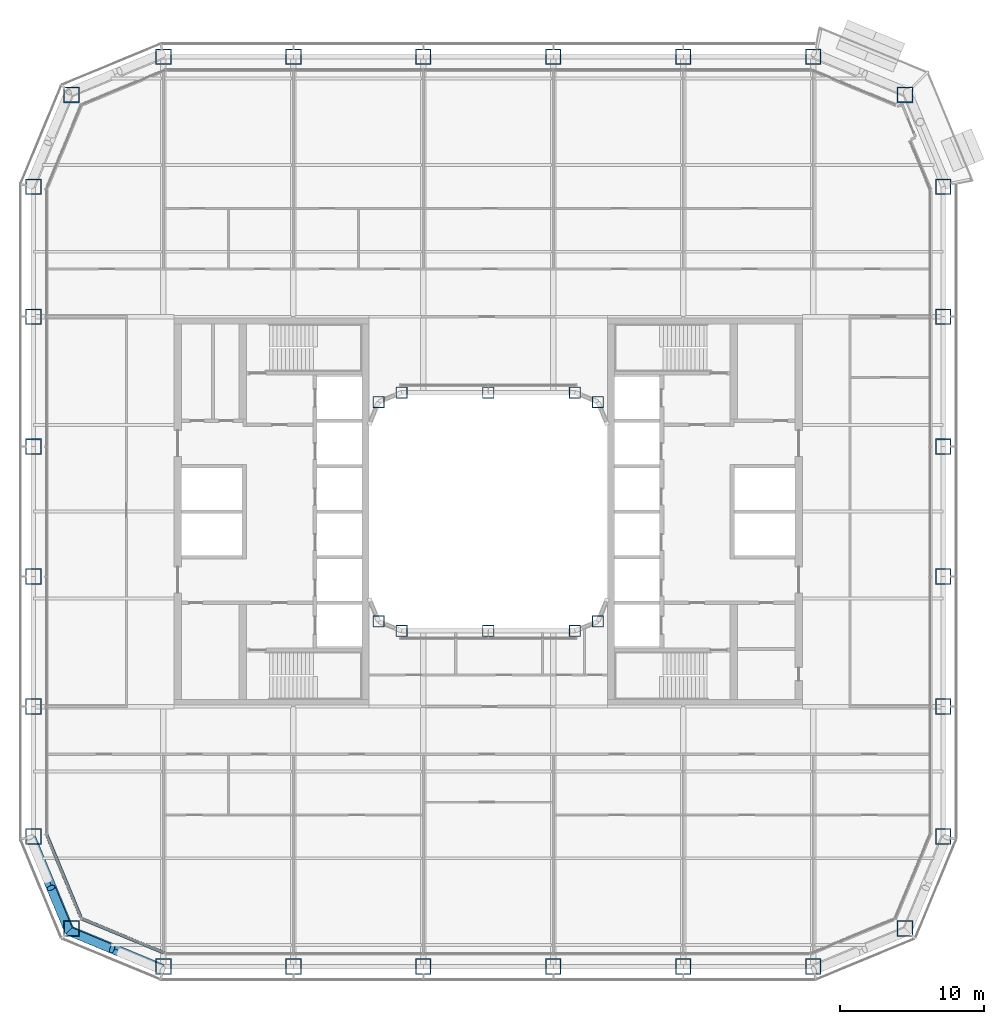
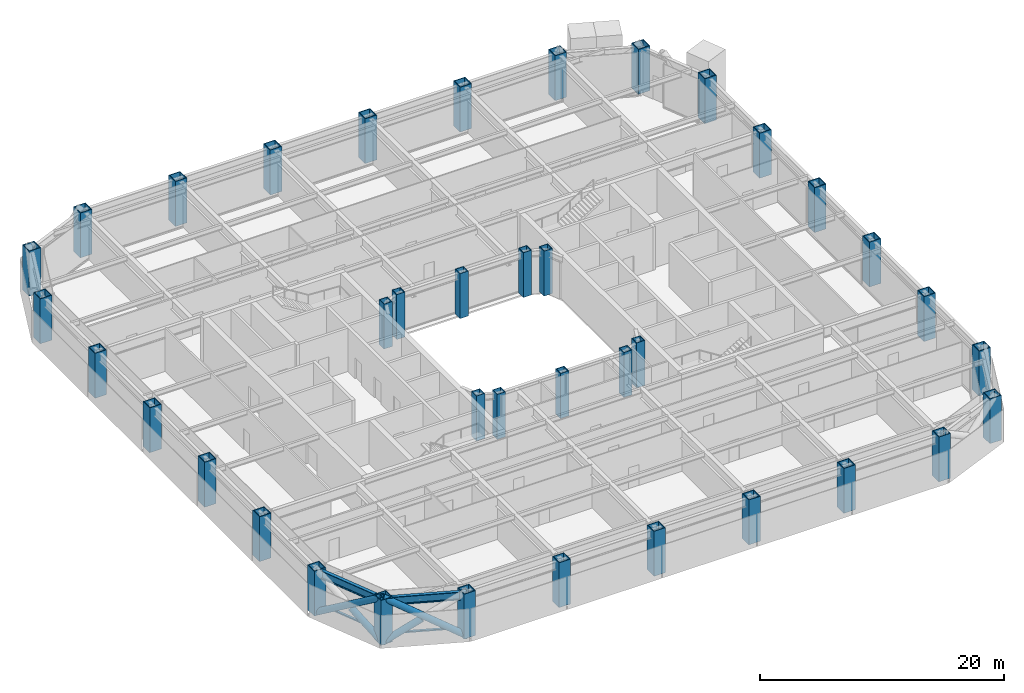
# One storey, part 1 of 30: 38 columns, 6 members, 2 beams, 2 elements without a shape of their own.
"""IFC4 building model written with IfcOpenShell, lengths in metres."""

import ifcopenshell
import ifcopenshell.guid

model = None  # the IFC model being written
_history = None  # IfcOwnerHistory: only IFC2X3 demands one
_inside = {}  # id of a spatial element -> (the spatial element, [elements in it])
_under = {}  # id of a project, library or spatial element -> (it, [spatial elements below it])
_declared = {}  # id of a project -> (the project, [libraries it declares])
_typed = {}  # id of a type object -> (the type object, [elements of that type])
_made_of = {}  # id of a material, layer set ... -> (it, [elements and type objects made of it])


def new_model(schema):
    """Start an empty IFC model of exactly this schema.

    Asked for "IFC4X3", IfcOpenShell would pick the latest addendum, in which some entities
    have other attributes; the version numbers below select the first issue.
    IFC2X3 requires an IfcOwnerHistory on every rooted entity: one is made here for all.
    """
    global model, _history
    if schema == "IFC4X3":
        model = ifcopenshell.file(schema_version=(4, 3, 0, 0))
    else:
        model = ifcopenshell.file(schema=schema)
    _inside.clear()
    _under.clear()
    _declared.clear()
    _typed.clear()
    _made_of.clear()
    _history = None
    if model.schema == "IFC2X3":
        org = make("IfcOrganization", Name="unknown")
        user = make(
            "IfcPersonAndOrganization",
            ThePerson=make("IfcPerson", FamilyName="unknown"),
            TheOrganization=org,
        )
        app = make(
            "IfcApplication",
            ApplicationDeveloper=org,
            Version="unknown",
            ApplicationFullName="unknown",
            ApplicationIdentifier="unknown",
        )
        _history = make(
            "IfcOwnerHistory",
            OwningUser=user,
            OwningApplication=app,
            ChangeAction="ADDED",
            CreationDate=0,
        )
    return model


def make(cls, **values):
    """One entity of the class cls with the attributes given. An attribute that is None is left unset."""
    return model.create_entity(
        cls, **{name: value for name, value in values.items() if value is not None}
    )


def rooted(cls, **values):
    """An entity with a GlobalId (a new one), such as an element, a storey or a relation."""
    return make(cls, GlobalId=ifcopenshell.guid.new(), OwnerHistory=_history, **values)


def si_unit(unit_type, name, prefix=None):
    """IfcSIUnit, for example si_unit("LENGTHUNIT", "METRE", prefix="MILLI")."""
    return make("IfcSIUnit", UnitType=unit_type, Prefix=prefix, Name=name)


def assignment(units):
    """IfcUnitAssignment: the units of a project."""
    return None if units is None else make("IfcUnitAssignment", Units=units)


def point(xyz):
    """IfcCartesianPoint."""
    return None if xyz is None else make("IfcCartesianPoint", Coordinates=xyz)


def direction(xyz):
    """IfcDirection."""
    return None if xyz is None else make("IfcDirection", DirectionRatios=xyz)


def frame(location, z_axis=None, x_axis=None):
    """IfcAxis2Placement3D, a coordinate frame: its origin and axes. An axis left out is left unset."""
    return make(
        "IfcAxis2Placement3D",
        Location=point(location),
        Axis=direction(z_axis),
        RefDirection=direction(x_axis),
    )


def frame_2d(location, x_axis=None):
    """IfcAxis2Placement2D, a coordinate frame in the plane: its origin and x axis."""
    return make(
        "IfcAxis2Placement2D", Location=point(location), RefDirection=direction(x_axis)
    )


def origin():
    """The frame at (0, 0, 0) with its axes left unset."""
    return frame((0.0, 0.0, 0.0))


def origin_2d():
    """The frame at (0, 0) in the plane with its x axis left unset."""
    return frame_2d((0.0, 0.0))


def place(relative_to, where):
    """IfcLocalPlacement: puts the frame where relative to a parent placement (None: the world)."""
    return make(
        "IfcLocalPlacement", PlacementRelTo=relative_to, RelativePlacement=where
    )


def context(
    kind, dimensions, precision=None, world=None, true_north=None, identifier=None
):
    """IfcGeometricRepresentationContext, for example the 3D "Model" context."""
    return make(
        "IfcGeometricRepresentationContext",
        ContextIdentifier=identifier,
        ContextType=kind,
        CoordinateSpaceDimension=dimensions,
        Precision=precision,
        WorldCoordinateSystem=world,
        TrueNorth=true_north,
    )


def subcontext(parent, identifier, kind, view, scale=None):
    """IfcGeometricRepresentationSubContext, for example "Body" below "Model"."""
    return make(
        "IfcGeometricRepresentationSubContext",
        ContextIdentifier=identifier,
        ContextType=kind,
        ParentContext=parent,
        TargetScale=scale,
        TargetView=view,
    )


def project(units=None, contexts=None):
    """IfcProject with its units and contexts."""
    return rooted(
        "IfcProject",
        Name="project",
        RepresentationContexts=contexts,
        UnitsInContext=assignment(units),
    )


def spatial(cls, under=None, at=None, **own):
    """A site, building, storey or space (cls), placed at a placement, below another one or the project."""
    s = rooted(cls, ObjectPlacement=at, **own)
    if under is not None:
        _under.setdefault(under.id(), (under, []))[1].append(s)
    return s


def profile(cls, at=None, kind="AREA", **sizes):
    """A parametric profile (cls). Its sizes go by their IFC names, for example OverallWidth=200.0."""
    return make(cls, ProfileType=kind, Position=at, **sizes)


def rectangle(**sizes):
    """IfcRectangleProfileDef."""
    return profile("IfcRectangleProfileDef", **sizes)


def hollow_rectangle(**sizes):
    """IfcRectangleHollowProfileDef."""
    return profile("IfcRectangleHollowProfileDef", **sizes)


def hollow_circle(**sizes):
    """IfcCircleHollowProfileDef."""
    return profile("IfcCircleHollowProfileDef", **sizes)


def i_section(**sizes):
    """IfcIShapeProfileDef."""
    return profile("IfcIShapeProfileDef", **sizes)


def extrude(swept, where, along, depth):
    """IfcExtrudedAreaSolid: the profile swept, set in the frame where, extruded along a direction by depth."""
    return make(
        "IfcExtrudedAreaSolid",
        SweptArea=swept,
        Position=where,
        ExtrudedDirection=direction(along),
        Depth=depth,
    )


def shape(context_of_items, identifier, shape_type, items):
    """IfcShapeRepresentation: the items that make up one representation, for example the "Body"."""
    return make(
        "IfcShapeRepresentation",
        ContextOfItems=context_of_items,
        RepresentationIdentifier=identifier,
        RepresentationType=shape_type,
        Items=items,
    )


def material(Name=None, Category=None):
    """IfcMaterial."""
    return make("IfcMaterial", Name=Name, Category=Category)


def layer(
    of_material, thickness, ventilated=None, Name=None, Category=None, Priority=None
):
    """IfcMaterialLayer: one layer of a wall or slab, of a material (None: an air gap)."""
    return make(
        "IfcMaterialLayer",
        Material=of_material,
        LayerThickness=thickness,
        IsVentilated=ventilated,
        Name=Name,
        Category=Category,
        Priority=Priority,
    )


def layer_set(layers, Name=None):
    """IfcMaterialLayerSet."""
    return make("IfcMaterialLayerSet", MaterialLayers=layers, LayerSetName=Name)


def material_profile(
    of_material, cross_section, Name=None, Category=None, Priority=None
):
    """IfcMaterialProfile: a cross section and its material."""
    return make(
        "IfcMaterialProfile",
        Name=Name,
        Material=of_material,
        Profile=cross_section,
        Priority=Priority,
        Category=Category,
    )


def profile_set(profiles, Name=None, composite=None):
    """IfcMaterialProfileSet."""
    return make(
        "IfcMaterialProfileSet",
        Name=Name,
        MaterialProfiles=profiles,
        CompositeProfile=composite,
    )


def made_of(thing, what):
    """Note that an element or type object is made of a material, layer set ...; save() writes the relation."""
    if what is not None:
        _made_of.setdefault(what.id(), (what, []))[1].append(thing)
    return thing


def type_object(cls, material=None, **own):
    """A type object (cls), such as IfcWallType, which elements share."""
    return made_of(rooted(cls, **own), material)


def element(
    cls,
    number,
    at=None,
    inside=None,
    cuts=None,
    type_object=None,
    material=None,
    context=None,
    identifier="Body",
    shape_type=None,
    held_by="IfcProductDefinitionShape",
    body=None,
    shapes=None,
    **own,
):
    """One element of the class cls, such as IfcWall. Its Tag is "e" and its number.

    at: its placement. inside: the storey or other place that contains it. cuts: it is an
    opening in that element (IfcRelVoidsElement). A single representation is given by context,
    identifier, shape_type and body (its items); several are given by shapes. held_by: the class
    of the entity that holds the representations. save() writes the other relations.
    """
    e = rooted(cls, Tag="e%d" % number, ObjectPlacement=at, **own)
    if body is not None:
        shapes = [shape(context, identifier, shape_type, body)]
    if shapes is not None:
        e.Representation = make(held_by, Representations=shapes)
    if inside is not None:
        _inside.setdefault(inside.id(), (inside, []))[1].append(e)
    if cuts is not None:
        rooted(
            "IfcRelVoidsElement", RelatingBuildingElement=cuts, RelatedOpeningElement=e
        )
    if type_object is not None:
        _typed.setdefault(type_object.id(), (type_object, []))[1].append(e)
    return made_of(e, material)


def aggregate(whole, parts):
    """IfcRelAggregates: a whole, such as a stair, and the parts it consists of."""
    return rooted("IfcRelAggregates", RelatingObject=whole, RelatedObjects=parts)


def save(model, path):
    """Write the relations noted so far, then the file.

    IfcRelAggregates (storeys below a building ...), IfcRelContainedInSpatialStructure (elements
    in a storey), IfcRelDefinesByType, IfcRelAssociatesMaterial and IfcRelDeclares: one each for
    every whole, place, type object, material and project.
    """
    for whole, parts in _under.values():
        aggregate(whole, parts)
    for where, things in _inside.values():
        rooted(
            "IfcRelContainedInSpatialStructure",
            RelatedElements=things,
            RelatingStructure=where,
        )
    for kind, things in _typed.values():
        rooted("IfcRelDefinesByType", RelatedObjects=things, RelatingType=kind)
    for what, things in _made_of.values():
        rooted("IfcRelAssociatesMaterial", RelatedObjects=things, RelatingMaterial=what)
    for by, libraries in _declared.values():
        rooted("IfcRelDeclares", RelatingContext=by, RelatedDefinitions=libraries)
    model.write(path)


model = new_model("IFC4")

# Units and contexts
model_context = context("Model", 3, precision=1e-05, world=origin(), true_north=direction((0.0, 1.0)))
body_context = subcontext(model_context, "Body", "Model", "MODEL_VIEW")
ifc_project = project(units=[si_unit("LENGTHUNIT", "METRE"), si_unit("AREAUNIT", "SQUARE_METRE"), si_unit("VOLUMEUNIT", "CUBIC_METRE"), si_unit("PLANEANGLEUNIT", "RADIAN"), si_unit("MASSUNIT", "GRAM", prefix="KILO")], contexts=[model_context])

# Site, building, storey
site_placement = place(None, origin())
site = spatial("IfcSite", under=ifc_project, at=site_placement, CompositionType="ELEMENT")
building_placement = place(site_placement, origin())
building = spatial("IfcBuilding", under=site, at=building_placement, Name="Siwar Civic Tower", CompositionType="ELEMENT")
storey_placement = place(building_placement, frame((0.0, 0.0, 44.699951171875)))
storey = spatial("IfcBuildingStorey", under=building, at=storey_placement, Name="L09", CompositionType="ELEMENT", Elevation=44.699951171875)

# Columns
ifc_material_1 = material(Name="Steel S460", Category="steel")
ifc_material_profile_1 = material_profile(ifc_material_1, hollow_rectangle(XDim=1.10009765625, YDim=1.10009765625, WallThickness=0.070068359375, at=origin_2d()), Name="BOX1100x1100x70")
ifc_profile_set_1 = profile_set([ifc_material_profile_1], Name="Steel S460")
column_type_1 = type_object("IfcColumnType", Name="STR-COL-BOX1100x1100x70", PredefinedType="COLUMN", material=ifc_profile_set_1)
for number, where, z_axis, x_axis, name in (
    (1, (-22.5, -31.5, 0.0), (0.0, 0.0, 1.0), (1.0, 0.0, 0.0), "L09/col/S-0"),
    (2, (-13.5, -31.5, 0.0), (0.0, 0.0, 1.0), (1.0, 0.0, 0.0), "L09/col/S-1"),
    (3, (-4.5, -31.5, 0.0), (0.0, 0.0, 1.0), (1.0, 0.0, 0.0), "L09/col/S-2"),
    (4, (4.5, -31.5, 0.0), (0.0, 0.0, 1.0), (1.0, 0.0, 0.0), "L09/col/S-3"),
    (5, (13.5, -31.5, 0.0), (0.0, 0.0, 1.0), (1.0, 0.0, 0.0), "L09/col/S-4"),
    (6, (22.5, -31.5, 0.0), (0.0, 0.0, 1.0), (1.0, 0.0, 0.0), "L09/col/SE1-0"),
    (7, (28.864013671875, -28.864013671875, 0.0), (0.0, 0.0, 1.0), (1.0, 0.0, 0.0), "L09/col/SE2-0"),
    (8, (31.5, -22.5, 0.0), (0.0, 0.0, 1.0), (1.0, 0.0, 0.0), "L09/col/E-0"),
    (9, (31.5, -13.5, 0.0), (0.0, 0.0, 1.0), (1.0, 0.0, 0.0), "L09/col/E-1"),
    (10, (31.5, -4.5, 0.0), (0.0, 0.0, 1.0), (1.0, 0.0, 0.0), "L09/col/E-2"),
    (11, (31.5, 4.5, 0.0), (0.0, 0.0, 1.0), (1.0, 0.0, 0.0), "L09/col/E-3"),
    (12, (31.5, 13.5, 0.0), (0.0, 0.0, 1.0), (1.0, 0.0, 0.0), "L09/col/E-4"),
    (13, (31.5, 22.5, 0.0), (0.0, 0.0, 1.0), (1.0, 0.0, 0.0), "L09/col/NE1-0"),
    (14, (28.864013671875, 28.864013671875, 0.0), (0.0, 0.0, 1.0), (1.0, 0.0, 0.0), "L09/col/NE2-0"),
    (15, (22.5, 31.5, 0.0), (0.0, 0.0, 1.0), (1.0, 0.0, 0.0), "L09/col/N-0"),
    (16, (13.5, 31.5, 0.0), (0.0, 0.0, 1.0), (1.0, 0.0, 0.0), "L09/col/N-1"),
    (17, (4.5, 31.5, 0.0), (0.0, 0.0, 1.0), (1.0, 0.0, 0.0), "L09/col/N-2"),
    (18, (-4.5, 31.5, 0.0), (0.0, 0.0, 1.0), (1.0, 0.0, 0.0), "L09/col/N-3"),
    (19, (-13.5, 31.5, 0.0), (0.0, 0.0, 1.0), (1.0, 0.0, 0.0), "L09/col/N-4"),
    (20, (-22.5, 31.5, 0.0), (0.0, 0.0, 1.0), (1.0, 0.0, 0.0), "L09/col/NW1-0"),
    (21, (-28.864013671875, 28.864013671875, 0.0), (0.0, 0.0, 1.0), (1.0, 0.0, 0.0), "L09/col/NW2-0"),
    (22, (-31.5, 22.5, 0.0), (0.0, 0.0, 1.0), (1.0, 0.0, 0.0), "L09/col/W-0"),
    (23, (-31.5, 13.5, 0.0), (0.0, 0.0, 1.0), (1.0, 0.0, 0.0), "L09/col/W-1"),
    (24, (-31.5, 4.5, 0.0), (0.0, 0.0, 1.0), (1.0, 0.0, 0.0), "L09/col/W-2"),
    (25, (-31.5, -4.5, 0.0), (0.0, 0.0, 1.0), (1.0, 0.0, 0.0), "L09/col/W-3"),
    (26, (-31.5, -13.5, 0.0), (0.0, 0.0, 1.0), (1.0, 0.0, 0.0), "L09/col/W-4"),
    (27, (-31.5, -22.5, 0.0), (0.0, 0.0, 1.0), (1.0, 0.0, 0.0), "L09/col/SW1-0"),
    (28, (-28.864013671875, -28.864013671875, 0.0), (0.0, 0.0, 1.0), (1.0, 0.0, 0.0), "L09/col/SW2-0"),
):
    element("IfcColumn", number, at=place(storey_placement, frame(where, z_axis=z_axis, x_axis=x_axis)), inside=storey, type_object=column_type_1, Name=name, PredefinedType="COLUMN", context=body_context, shape_type="SweptSolid", body=[
        extrude(hollow_rectangle(XDim=1.10009765625, YDim=1.10009765625, WallThickness=0.070068359375, at=origin_2d()), origin(), (0.0, 0.0, 1.0), 4.5),
    ])
ifc_material_2 = material(Name="Steel S355", Category="steel")
ifc_material_profile_2 = material_profile(ifc_material_2, hollow_rectangle(XDim=0.800048828125, YDim=0.800048828125, WallThickness=0.050048828125, at=origin_2d()), Name="BOX800x800x50")
ifc_profile_set_2 = profile_set([ifc_material_profile_2], Name="Steel S355")
column_type_2 = type_object("IfcColumnType", Name="STR-ICOL-BOX800x800x50", PredefinedType="COLUMN", material=ifc_profile_set_2)
for number, where, z_axis, x_axis, name in (
    (29, (-7.591064453125, -7.591064453125, 0.0), (0.0, 0.0, 1.0), (1.0, 0.0, 0.0), "L09/col/IS-0"),
    (30, (-6.0, -8.25, 0.0), (0.0, 0.0, 1.0), (1.0, 0.0, 0.0), "L09/col/IS-1"),
    (31, (0.0, -8.25, 0.0), (0.0, 0.0, 1.0), (1.0, 0.0, 0.0), "L09/col/IS-2"),
    (32, (6.0, -8.25, 0.0), (0.0, 0.0, 1.0), (1.0, 0.0, 0.0), "L09/col/IS-3"),
    (33, (7.591064453125, -7.591064453125, 0.0), (0.0, 0.0, 1.0), (1.0, 0.0, 0.0), "L09/col/IS-4"),
    (34, (-7.591064453125, 7.591064453125, 0.0), (0.0, 0.0, 1.0), (1.0, 0.0, 0.0), "L09/col/IN-0"),
    (35, (-6.0, 8.25, 0.0), (0.0, 0.0, 1.0), (1.0, 0.0, 0.0), "L09/col/IN-1"),
    (36, (0.0, 8.25, 0.0), (0.0, 0.0, 1.0), (1.0, 0.0, 0.0), "L09/col/IN-2"),
    (37, (6.0, 8.25, 0.0), (0.0, 0.0, 1.0), (1.0, 0.0, 0.0), "L09/col/IN-3"),
    (38, (7.591064453125, 7.591064453125, 0.0), (0.0, 0.0, 1.0), (1.0, 0.0, 0.0), "L09/col/IN-4"),
):
    element("IfcColumn", number, at=place(storey_placement, frame(where, z_axis=z_axis, x_axis=x_axis)), inside=storey, type_object=column_type_2, Name=name, PredefinedType="COLUMN", context=body_context, shape_type="SweptSolid", body=[
        extrude(hollow_rectangle(XDim=0.800048828125, YDim=0.800048828125, WallThickness=0.050048828125, at=origin_2d()), origin(), (0.0, 0.0, 1.0), 4.5),
    ])

# Curtain wall, member
ifc_material_3 = material(Name="Aluminium clad insulated panel", Category="aluminium")
ifc_layer = layer(ifc_material_3, 0.219970703125)
ifc_layer_set = layer_set([ifc_layer], Name="Aluminium clad insulated panel")
curtain_wall_type = type_object("IfcCurtainWallType", Name="ENV-CW-AX", PredefinedType="NOTDEFINED", material=ifc_layer_set)
curtain_wall_1_placement = place(storey_placement, origin())
curtain_wall_1 = element("IfcCurtainWall", 39, at=curtain_wall_1_placement, inside=storey, type_object=curtain_wall_type, Name="Curtain wall A SW1", PredefinedType="NOTDEFINED")
ifc_material_4 = material(Name="Aluminium 6063-T6", Category="aluminium")
ifc_material_profile_3 = material_profile(ifc_material_4, rectangle(XDim=0.219970703125, YDim=0.1201171875, at=origin_2d()), Name="AL 220x120")
ifc_profile_set_3 = profile_set([ifc_material_profile_3], Name="Aluminium 6063-T6")
member_type_1 = type_object("IfcMemberType", Name="ENV-TRANSOM-A", PredefinedType="USERDEFINED", material=ifc_profile_set_3)
member_1_placement = place(storey_placement, frame((-30.586669921875, -22.353271484375, 0.06005859375), z_axis=(0.382698415042, -0.923873326341, 0.0), x_axis=(0.923873326341, 0.382698415042, 0.0)))
member_1 = element("IfcMember", 40, at=member_1_placement, type_object=member_type_1, Name="Transom A SW1 1", ObjectType="TRANSOM", PredefinedType="USERDEFINED", context=body_context, shape_type="SweptSolid", body=[
    extrude(rectangle(XDim=0.219970703125, YDim=0.1201171875, at=origin_2d()), origin(), (0.0, 0.0, 1.0), 6.17919921875),
])
aggregate(curtain_wall_1, [member_1])

curtain_wall_2_placement = place(storey_placement, origin())
curtain_wall_2 = element("IfcCurtainWall", 41, at=curtain_wall_2_placement, inside=storey, type_object=curtain_wall_type, Name="Curtain wall A SW2", PredefinedType="NOTDEFINED")
member_2_placement = place(storey_placement, frame((-28.142822265625, -28.1884765625, 0.06005859375), z_axis=(0.923873326341, -0.382698415042, 0.0), x_axis=(0.382698415042, 0.923873326341, 0.0)))
member_2 = element("IfcMember", 42, at=member_2_placement, type_object=member_type_1, Name="Transom A SW2 1", ObjectType="TRANSOM", PredefinedType="USERDEFINED", context=body_context, shape_type="SweptSolid", body=[
    extrude(rectangle(XDim=0.219970703125, YDim=0.1201171875, at=origin_2d()), origin(), (0.0, 0.0, 1.0), 6.17919921875),
])
aggregate(curtain_wall_2, [member_2])

# Members
ifc_material_5 = material(Name="Steel S355", Category="steel")
ifc_material_profile_4 = material_profile(ifc_material_5, hollow_circle(Radius=0.304931640625, WallThickness=0.030029296875, at=origin_2d()), Name="CHS610x30")
ifc_profile_set_4 = profile_set([ifc_material_profile_4], Name="Steel S355")
member_type_2 = type_object("IfcMemberType", Name="STR-BR-CHS610x30", PredefinedType="BRACE", material=ifc_profile_set_4)
member_3_placement = place(storey_placement, frame((-22.548828125, -31.7451171875, 0.0), z_axis=(-0.777554562952, 0.323905527954, 0.538975055633), x_axis=(-0.384538969033, -0.923108759191, 0.0)))
element("IfcMember", 43, at=member_3_placement, inside=storey, type_object=member_type_2, Name="L09/brc/ASW1-8-0-1", PredefinedType="BRACE", context=body_context, shape_type="SweptSolid", body=[
    extrude(hollow_circle(Radius=0.304931640625, WallThickness=0.030029296875, at=origin_2d()), origin(), (0.0, 0.0, 1.0), 8.34912109375),
])
member_4_placement = place(storey_placement, frame((-29.040771484375, -29.040771484375, 0.0), z_axis=(0.777542179573, -0.323922979564, 0.53898243227), x_axis=(0.384561842466, 0.923099230484, 0.0)))
element("IfcMember", 44, at=member_4_placement, inside=storey, type_object=member_type_2, Name="L09/brc/ASW1-8-0-2", PredefinedType="BRACE", context=body_context, shape_type="SweptSolid", body=[
    extrude(hollow_circle(Radius=0.304931640625, WallThickness=0.030029296875, at=origin_2d()), origin(), (0.0, 0.0, 1.0), 3.84375),
])
member_5_placement = place(storey_placement, frame((-31.7451171875, -22.548828125, 0.0), z_axis=(0.323905527954, -0.777554562952, 0.538975055633), x_axis=(0.923108759191, 0.384538969033, 0.0)))
element("IfcMember", 45, at=member_5_placement, inside=storey, type_object=member_type_2, Name="L09/brc/ASW1-8-0-0", PredefinedType="BRACE", context=body_context, shape_type="SweptSolid", body=[
    extrude(hollow_circle(Radius=0.304931640625, WallThickness=0.030029296875, at=origin_2d()), origin(), (0.0, 0.0, 1.0), 8.34912109375),
])
member_6_placement = place(storey_placement, frame((-29.040771484375, -29.040771484375, 0.0), z_axis=(-0.323922979564, 0.777542179573, 0.53898243227), x_axis=(-0.923099230484, -0.384561842466, 0.0)))
element("IfcMember", 46, at=member_6_placement, inside=storey, type_object=member_type_2, Name="L09/brc/ASW1-8-0-4", PredefinedType="BRACE", context=body_context, shape_type="SweptSolid", body=[
    extrude(hollow_circle(Radius=0.304931640625, WallThickness=0.030029296875, at=origin_2d()), origin(), (0.0, 0.0, 1.0), 3.84375),
])

# Beams
ifc_material_6 = material(Name="Steel S355", Category="steel")
ifc_material_profile_5 = material_profile(ifc_material_6, i_section(OverallWidth=0.302978515625, OverallDepth=0.81396484375, WebThickness=0.02099609375, FlangeThickness=0.0400390625, FilletRadius=0.030029296875, at=origin_2d()), Name="HEM800")
ifc_profile_set_5 = profile_set([ifc_material_profile_5], Name="Steel S355")
beam_type = type_object("IfcBeamType", Name="STR-SB-HEM800", PredefinedType="BEAM", material=ifc_profile_set_5)
for number, where, z_axis, x_axis, name in (
    (47, (-31.5, -22.5, 3.943115234375), (0.382674207535, -0.923883353507, 0.0), (0.923883353507, 0.382674207535, 0.0), "L09/bm/SSW1-0"),
    (48, (-28.864013671875, -28.864013671875, 3.943115234375), (0.923883353507, -0.382674207535, 0.0), (0.382674207535, 0.923883353507, 0.0), "L09/bm/SSW2-0"),
):
    element("IfcBeam", number, at=place(storey_placement, frame(where, z_axis=z_axis, x_axis=x_axis)), inside=storey, type_object=beam_type, Name=name, PredefinedType="BEAM", context=body_context, shape_type="SweptSolid", body=[
        extrude(i_section(OverallWidth=0.302978515625, OverallDepth=0.81396484375, WebThickness=0.02099609375, FlangeThickness=0.0400390625, FilletRadius=0.030029296875, at=origin_2d()), origin(), (0.0, 0.0, 1.0), 6.888427734375),
    ])

save(model, "model.ifc")
